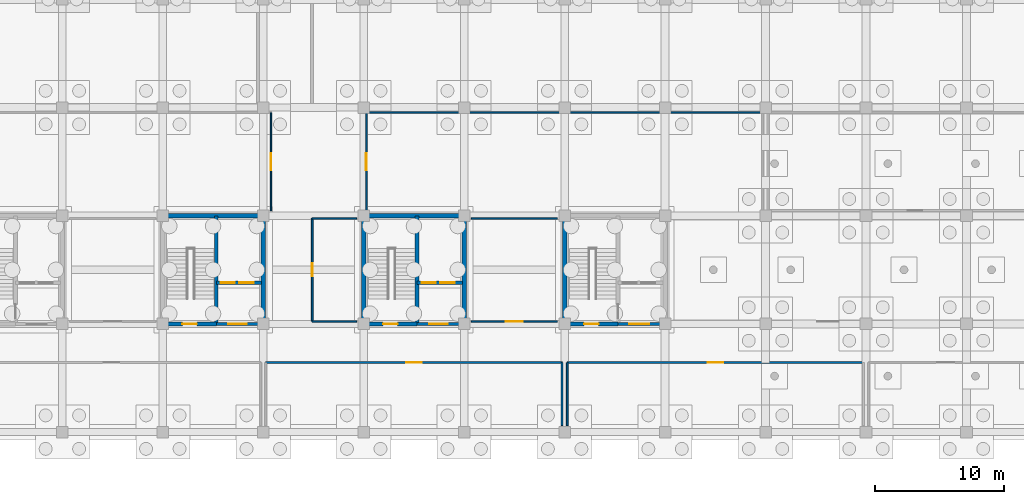
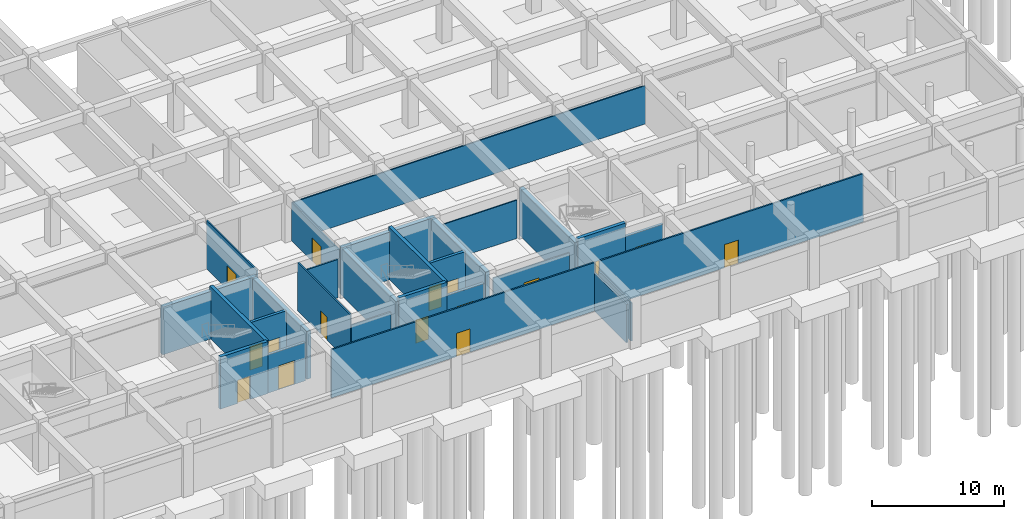
# One storey, part 19 of 31: 28 walls, 16 doors, 16 openings.
"""IFC4 building model written with IfcOpenShell, lengths in metres."""

from ifc_helpers import new_model, si_unit, direction, frame, frame_2d, origin, place, context, subcontext, project, spatial, rectangle, extrude, material, layer, layer_set, type_object, element, fill, save


model = new_model("IFC4")

# Units and contexts
model_context = context("Model", 3, precision=1e-05, world=origin(), true_north=direction((0.0, 1.0)))
body_context = subcontext(model_context, "Body", "Model", "MODEL_VIEW")
ifc_project = project(units=[si_unit("LENGTHUNIT", "METRE"), si_unit("AREAUNIT", "SQUARE_METRE"), si_unit("VOLUMEUNIT", "CUBIC_METRE"), si_unit("PLANEANGLEUNIT", "RADIAN"), si_unit("MASSUNIT", "GRAM", prefix="KILO")], contexts=[model_context])

# Site, building, storey
site_placement = place(None, origin())
site = spatial("IfcSite", under=ifc_project, at=site_placement, CompositionType="ELEMENT")
building_placement = place(site_placement, origin())
building = spatial("IfcBuilding", under=site, at=building_placement, Name="Zizhar Promenade General Hospital", CompositionType="ELEMENT")
storey_placement = place(building_placement, frame((0.0, 0.0, -4.800048828125)))
storey = spatial("IfcBuildingStorey", under=building, at=storey_placement, Name="B1", CompositionType="ELEMENT", Elevation=-4.800048828125)

# Wall, opening, door
ifc_material_1 = material(Name="Chemical-resistant laboratory partition")
ifc_layer_1 = layer(ifc_material_1, 0.135009765625)
ifc_layer_set_1 = layer_set([ifc_layer_1], Name="Chemical-resistant laboratory partition")
wall_type_1 = type_object("IfcWallType", Name="IW-LAB-135", PredefinedType="PARTITIONING", material=ifc_layer_set_1)
wall_1_placement = place(storey_placement, frame((70.39990234375, 5.39990234375, 0.0), z_axis=(0.0, 0.0, 1.0), x_axis=(1.0, 0.0, 0.0)))
wall_1 = element("IfcWall", 1, at=wall_1_placement, inside=storey, type_object=wall_type_1, Name="Central Sterile Supply Autoclave Hall N Partition", PredefinedType="PARTITIONING", context=body_context, shape_type="SweptSolid", body=[
    extrude(rectangle(XDim=23.0, YDim=0.135009765625, at=frame_2d((11.5, 0.0))), origin(), (0.0, 0.0, 1.0), 4.4599609375),
])
opening_1_placement = place(wall_1_placement, frame((10.89990234375, 0.0, 0.0)))
opening_1 = element("IfcOpeningElement", 2, at=opening_1_placement, cuts=wall_1, Name="Opening D-16", PredefinedType="OPENING", context=body_context, shape_type="SweptSolid", body=[
    extrude(rectangle(XDim=1.199951171875, YDim=2.14990234375, at=frame_2d((0.60009765625, 1.074951171875))), frame((0.0, 0.07763671875, 0.0), z_axis=(0.0, -1.0, 0.0), x_axis=(1.0, 0.0, 0.0)), (0.0, 0.0, 1.0), 0.155029296875),
])
ifc_material_2 = material(Name="Fire-rated timber laboratory leaf", Category="wood")
door_type_1 = type_object("IfcDoorType", Name="DR-LAB-120x215", OperationType="NOTDEFINED", PredefinedType="DOOR", material=ifc_material_2)
door_1_placement = place(opening_1_placement, origin())
door_1 = element("IfcDoor", 3, at=door_1_placement, inside=storey, type_object=door_type_1, Name="Central Sterile Supply Autoclave Hall Door", OperationType="SINGLE_SWING_RIGHT", OverallHeight=2.14990234375, OverallWidth=1.199951171875, PredefinedType="DOOR", context=body_context, shape_type="SweptSolid", body=[
    extrude(rectangle(XDim=1.199951171875, YDim=2.14990234375, at=frame_2d((0.60009765625, 1.074951171875))), frame((0.0, 0.02490234375, 0.0), z_axis=(0.0, -1.0, 0.0), x_axis=(1.0, 0.0, 0.0)), (0.0, 0.0, 1.0), 0.050048828125),
])
fill(opening_1, door_1)

# Wall
wall_2_placement = place(storey_placement, frame((93.39990234375, 0.5, 0.0), z_axis=(0.0, 0.0, 1.0), x_axis=(0.0, 1.0, 0.0)))
element("IfcWall", 4, at=wall_2_placement, inside=storey, type_object=wall_type_1, Name="Central Sterile Supply Autoclave Hall E Partition", PredefinedType="PARTITIONING", context=body_context, shape_type="SweptSolid", body=[
    extrude(rectangle(XDim=4.89990234375, YDim=0.135009765625, at=frame_2d((2.449951171875, 0.0))), origin(), (0.0, 0.0, 1.0), 3.51513671875),
])

# Wall, opening, door
wall_3_placement = place(storey_placement, frame((93.800048828125, 5.39990234375, 0.0), z_axis=(0.0, 0.0, 1.0), x_axis=(1.0, 0.0, 0.0)))
wall_3 = element("IfcWall", 5, at=wall_3_placement, inside=storey, type_object=wall_type_1, Name="Sterile Surgical Pack Store N Partition", PredefinedType="PARTITIONING", context=body_context, shape_type="SweptSolid", body=[
    extrude(rectangle(XDim=23.0, YDim=0.135009765625, at=frame_2d((11.5, 0.0))), origin(), (0.0, 0.0, 1.0), 4.4599609375),
])
opening_2_placement = place(wall_3_placement, frame((10.89990234375, 0.0, 0.0)))
opening_2 = element("IfcOpeningElement", 6, at=opening_2_placement, cuts=wall_3, Name="Opening D-16", PredefinedType="OPENING", context=body_context, shape_type="SweptSolid", body=[
    extrude(rectangle(XDim=1.199951171875, YDim=2.14990234375, at=frame_2d((0.60009765625, 1.074951171875))), frame((0.0, 0.07763671875, 0.0), z_axis=(0.0, -1.0, 0.0), x_axis=(1.0, 0.0, 0.0)), (0.0, 0.0, 1.0), 0.155029296875),
])
door_2_placement = place(opening_2_placement, origin())
door_2 = element("IfcDoor", 7, at=door_2_placement, inside=storey, type_object=door_type_1, Name="Sterile Surgical Pack Store Door", OperationType="SINGLE_SWING_LEFT", OverallHeight=2.14990234375, OverallWidth=1.199951171875, PredefinedType="DOOR", context=body_context, shape_type="SweptSolid", body=[
    extrude(rectangle(XDim=1.199951171875, YDim=2.14990234375, at=frame_2d((0.60009765625, 1.074951171875))), frame((0.0, 0.02490234375, 0.0), z_axis=(0.0, -1.0, 0.0), x_axis=(1.0, 0.0, 0.0)), (0.0, 0.0, 1.0), 0.050048828125),
])
fill(opening_2, door_2)

# Wall
wall_4_placement = place(storey_placement, frame((93.800048828125, 0.5, 0.0), z_axis=(0.0, 0.0, 1.0), x_axis=(0.0, 1.0, 0.0)))
element("IfcWall", 8, at=wall_4_placement, inside=storey, type_object=wall_type_1, Name="Sterile Surgical Pack Store W Partition", PredefinedType="PARTITIONING", context=body_context, shape_type="SweptSolid", body=[
    extrude(rectangle(XDim=4.89990234375, YDim=0.135009765625, at=frame_2d((2.449951171875, 0.0))), origin(), (0.0, 0.0, 1.0), 3.51513671875),
])

# Wall, opening, door
ifc_material_3 = material(Name="Concrete C35/45", Category="concrete")
ifc_layer_2 = layer(ifc_material_3, 0.215087890625)
ifc_layer_set_2 = layer_set([ifc_layer_2], Name="Concrete C35/45")
wall_type_2 = type_object("IfcWallType", Name="IW-LOBBY-215", PredefinedType="STANDARD", material=ifc_layer_set_2)
wall_5_placement = place(storey_placement, frame((66.550048828125, 8.39990234375, 0.0), z_axis=(0.0, 0.0, 1.0), x_axis=(1.0, 0.0, 0.0)))
wall_5 = element("IfcWall", 9, at=wall_5_placement, inside=storey, type_object=wall_type_2, Name="Core C3 Lift Lobby South Fire Wall (B1)", PredefinedType="STANDARD", context=body_context, shape_type="SweptSolid", body=[
    extrude(rectangle(XDim=3.2900390625, YDim=0.215087890625, at=frame_2d((1.64501953125, 0.0))), origin(), (0.0, 0.0, 1.0), 3.530029296875),
])
opening_3_placement = place(wall_5_placement, frame((0.925048828125, 0.0, 0.0)))
opening_3 = element("IfcOpeningElement", 10, at=opening_3_placement, cuts=wall_5, Name="Opening D-23", PredefinedType="OPENING", context=body_context, shape_type="SweptSolid", body=[
    extrude(rectangle(XDim=1.43994140625, YDim=2.199951171875, at=frame_2d((0.719970703125, 1.10009765625))), frame((0.0, 0.11767578125, 0.0), z_axis=(0.0, -1.0, 0.0), x_axis=(1.0, 0.0, 0.0)), (0.0, 0.0, 1.0), 0.235107421875),
])
ifc_material_4 = material(Name="Fire-rated timber lift lobby pair", Category="wood")
door_type_2 = type_object("IfcDoorType", Name="DR-LOBBY-PR-144x220", OperationType="DOUBLE_DOOR_SINGLE_SWING", PredefinedType="DOOR", material=ifc_material_4)
door_3_placement = place(opening_3_placement, origin())
door_3 = element("IfcDoor", 11, at=door_3_placement, inside=storey, type_object=door_type_2, Name="Core C3 Protected Lift Lobby Door (B1)", OperationType="DOUBLE_DOOR_SINGLE_SWING", OverallHeight=2.199951171875, OverallWidth=1.43994140625, PredefinedType="DOOR", context=body_context, shape_type="SweptSolid", body=[
    extrude(rectangle(XDim=1.43994140625, YDim=2.199951171875, at=frame_2d((0.719970703125, 1.10009765625))), frame((0.0, 0.02490234375, 0.0), z_axis=(0.0, -1.0, 0.0), x_axis=(1.0, 0.0, 0.0)), (0.0, 0.0, 1.0), 0.050048828125),
])
fill(opening_3, door_3)

wall_6_placement = place(storey_placement, frame((82.14990234375, 8.39990234375, 0.0), z_axis=(0.0, 0.0, 1.0), x_axis=(1.0, 0.0, 0.0)))
wall_6 = element("IfcWall", 12, at=wall_6_placement, inside=storey, type_object=wall_type_2, Name="Core C4 Lift Lobby South Fire Wall (B1)", PredefinedType="STANDARD", context=body_context, shape_type="SweptSolid", body=[
    extrude(rectangle(XDim=3.2900390625, YDim=0.215087890625, at=frame_2d((1.64501953125, 0.0))), origin(), (0.0, 0.0, 1.0), 3.530029296875),
])
opening_4_placement = place(wall_6_placement, frame((0.925048828125, 0.0, 0.0)))
opening_4 = element("IfcOpeningElement", 13, at=opening_4_placement, cuts=wall_6, Name="Opening D-23", PredefinedType="OPENING", context=body_context, shape_type="SweptSolid", body=[
    extrude(rectangle(XDim=1.43994140625, YDim=2.199951171875, at=frame_2d((0.719970703125, 1.10009765625))), frame((0.0, 0.11767578125, 0.0), z_axis=(0.0, -1.0, 0.0), x_axis=(1.0, 0.0, 0.0)), (0.0, 0.0, 1.0), 0.235107421875),
])
door_4_placement = place(opening_4_placement, origin())
door_4 = element("IfcDoor", 14, at=door_4_placement, inside=storey, type_object=door_type_2, Name="Core C4 Protected Lift Lobby Door (B1)", OperationType="DOUBLE_DOOR_SINGLE_SWING", OverallHeight=2.199951171875, OverallWidth=1.43994140625, PredefinedType="DOOR", context=body_context, shape_type="SweptSolid", body=[
    extrude(rectangle(XDim=1.43994140625, YDim=2.199951171875, at=frame_2d((0.719970703125, 1.10009765625))), frame((0.0, 0.02490234375, 0.0), z_axis=(0.0, -1.0, 0.0), x_axis=(1.0, 0.0, 0.0)), (0.0, 0.0, 1.0), 0.050048828125),
])
fill(opening_4, door_4)

wall_7_placement = place(storey_placement, frame((97.75, 8.39990234375, 0.0), z_axis=(0.0, 0.0, 1.0), x_axis=(1.0, 0.0, 0.0)))
wall_7 = element("IfcWall", 15, at=wall_7_placement, inside=storey, type_object=wall_type_2, Name="Core C5 Lift Lobby South Fire Wall (B1)", PredefinedType="STANDARD", context=body_context, shape_type="SweptSolid", body=[
    extrude(rectangle(XDim=3.2900390625, YDim=0.215087890625, at=frame_2d((1.64501953125, 0.0))), origin(), (0.0, 0.0, 1.0), 3.530029296875),
])
opening_5_placement = place(wall_7_placement, frame((0.864990234375, 0.0, 0.0)))
opening_5 = element("IfcOpeningElement", 16, at=opening_5_placement, cuts=wall_7, Name="Opening D-22", PredefinedType="OPENING", context=body_context, shape_type="SweptSolid", body=[
    extrude(rectangle(XDim=1.56005859375, YDim=2.199951171875, at=frame_2d((0.780029296875, 1.10009765625))), frame((0.0, 0.11767578125, 0.0), z_axis=(0.0, -1.0, 0.0), x_axis=(1.0, 0.0, 0.0)), (0.0, 0.0, 1.0), 0.235107421875),
])
ifc_material_5 = material(Name="Steel S355 firefighting lobby pair", Category="steel")
door_type_3 = type_object("IfcDoorType", Name="DR-LOBBY-FF-156x220", OperationType="DOUBLE_DOOR_SINGLE_SWING", PredefinedType="DOOR", material=ifc_material_5)
door_5_placement = place(opening_5_placement, origin())
door_5 = element("IfcDoor", 17, at=door_5_placement, inside=storey, type_object=door_type_3, Name="Core C5 Firefighting Lift Lobby Door (B1)", OperationType="DOUBLE_DOOR_SINGLE_SWING", OverallHeight=2.199951171875, OverallWidth=1.56005859375, PredefinedType="DOOR", context=body_context, shape_type="SweptSolid", body=[
    extrude(rectangle(XDim=1.56005859375, YDim=2.199951171875, at=frame_2d((0.780029296875, 1.10009765625))), frame((0.0, 0.02490234375, 0.0), z_axis=(0.0, -1.0, 0.0), x_axis=(1.0, 0.0, 0.0)), (0.0, 0.0, 1.0), 0.050048828125),
])
fill(opening_5, door_5)

# Wall, openings, doors
ifc_material_6 = material(Name="Concrete C35/45", Category="concrete")
ifc_layer_3 = layer(ifc_material_6, 0.25)
ifc_layer_set_3 = layer_set([ifc_layer_3], Name="Concrete C35/45")
wall_type_3 = type_object("IfcWallType", Name="IW-SHAFT-250", PredefinedType="STANDARD", material=ifc_layer_set_3)
wall_8_placement = place(storey_placement, frame((66.550048828125, 11.60009765625, 0.0), z_axis=(0.0, 0.0, 1.0), x_axis=(1.0, 0.0, 0.0)))
wall_8 = element("IfcWall", 18, at=wall_8_placement, inside=storey, type_object=wall_type_3, Name="Core C3 Lift Shaft Landing Wall (B1)", PredefinedType="STANDARD", context=body_context, shape_type="SweptSolid", body=[
    extrude(rectangle(XDim=3.5, YDim=0.25, at=frame_2d((1.75, 0.0))), origin(), (0.0, 0.0, 1.0), 4.4599609375),
])
opening_6_placement = place(wall_8_placement, frame((0.35009765625, 0.0, 0.0)))
opening_6 = element("IfcOpeningElement", 19, at=opening_6_placement, cuts=wall_8, Name="Opening LD-11", PredefinedType="OPENING", context=body_context, shape_type="SweptSolid", body=[
    extrude(rectangle(XDim=1.10009765625, YDim=2.199951171875, at=frame_2d((0.550048828125, 1.10009765625))), frame((0.0, 0.135009765625, 0.0), z_axis=(0.0, -1.0, 0.0), x_axis=(1.0, 0.0, 0.0)), (0.0, 0.0, 1.0), 0.27001953125),
])
opening_7_placement = place(wall_8_placement, frame((1.800048828125, 0.0, 0.0)))
opening_7 = element("IfcOpeningElement", 20, at=opening_7_placement, cuts=wall_8, Name="Opening LD-11", PredefinedType="OPENING", context=body_context, shape_type="SweptSolid", body=[
    extrude(rectangle(XDim=1.10009765625, YDim=2.199951171875, at=frame_2d((0.550048828125, 1.10009765625))), frame((0.0, 0.135009765625, 0.0), z_axis=(0.0, -1.0, 0.0), x_axis=(1.0, 0.0, 0.0)), (0.0, 0.0, 1.0), 0.27001953125),
])
ifc_material_7 = material(Name="Stainless Steel S355 passenger lift landing door", Category="steel")
door_type_4 = type_object("IfcDoorType", Name="DR-LIFT-LD11", OperationType="SLIDING_TO_LEFT", PredefinedType="DOOR", material=ifc_material_7)
door_6_placement = place(opening_6_placement, origin())
door_6 = element("IfcDoor", 21, at=door_6_placement, inside=storey, type_object=door_type_4, Name="Lift LB-02 Sliding Landing Door (B1)", OperationType="SLIDING_TO_LEFT", OverallHeight=2.199951171875, OverallWidth=1.10009765625, PredefinedType="DOOR", context=body_context, shape_type="SweptSolid", body=[
    extrude(rectangle(XDim=1.10009765625, YDim=2.199951171875, at=frame_2d((0.550048828125, 1.10009765625))), frame((0.0, 0.02490234375, 0.0), z_axis=(0.0, -1.0, 0.0), x_axis=(1.0, 0.0, 0.0)), (0.0, 0.0, 1.0), 0.050048828125),
])
fill(opening_6, door_6)
door_7_placement = place(opening_7_placement, origin())
door_7 = element("IfcDoor", 22, at=door_7_placement, inside=storey, type_object=door_type_4, Name="Lift LP-02 Sliding Landing Door (B1)", OperationType="SLIDING_TO_LEFT", OverallHeight=2.199951171875, OverallWidth=1.10009765625, PredefinedType="DOOR", context=body_context, shape_type="SweptSolid", body=[
    extrude(rectangle(XDim=1.10009765625, YDim=2.199951171875, at=frame_2d((0.550048828125, 1.10009765625))), frame((0.0, 0.02490234375, 0.0), z_axis=(0.0, -1.0, 0.0), x_axis=(1.0, 0.0, 0.0)), (0.0, 0.0, 1.0), 0.050048828125),
])
fill(opening_7, door_7)

wall_9_placement = place(storey_placement, frame((82.14990234375, 11.60009765625, 0.0), z_axis=(0.0, 0.0, 1.0), x_axis=(1.0, 0.0, 0.0)))
wall_9 = element("IfcWall", 23, at=wall_9_placement, inside=storey, type_object=wall_type_3, Name="Core C4 Lift Shaft Landing Wall (B1)", PredefinedType="STANDARD", context=body_context, shape_type="SweptSolid", body=[
    extrude(rectangle(XDim=3.5, YDim=0.25, at=frame_2d((1.75, 0.0))), origin(), (0.0, 0.0, 1.0), 4.4599609375),
])
opening_8_placement = place(wall_9_placement, frame((0.35009765625, 0.0, 0.0)))
opening_8 = element("IfcOpeningElement", 24, at=opening_8_placement, cuts=wall_9, Name="Opening LD-11", PredefinedType="OPENING", context=body_context, shape_type="SweptSolid", body=[
    extrude(rectangle(XDim=1.10009765625, YDim=2.199951171875, at=frame_2d((0.550048828125, 1.10009765625))), frame((0.0, 0.135009765625, 0.0), z_axis=(0.0, -1.0, 0.0), x_axis=(1.0, 0.0, 0.0)), (0.0, 0.0, 1.0), 0.27001953125),
])
opening_9_placement = place(wall_9_placement, frame((1.800048828125, 0.0, 0.0)))
opening_9 = element("IfcOpeningElement", 25, at=opening_9_placement, cuts=wall_9, Name="Opening LD-11", PredefinedType="OPENING", context=body_context, shape_type="SweptSolid", body=[
    extrude(rectangle(XDim=1.10009765625, YDim=2.199951171875, at=frame_2d((0.550048828125, 1.10009765625))), frame((0.0, 0.135009765625, 0.0), z_axis=(0.0, -1.0, 0.0), x_axis=(1.0, 0.0, 0.0)), (0.0, 0.0, 1.0), 0.27001953125),
])
door_8_placement = place(opening_8_placement, origin())
door_8 = element("IfcDoor", 26, at=door_8_placement, inside=storey, type_object=door_type_4, Name="Lift LB-03 Sliding Landing Door (B1)", OperationType="SLIDING_TO_LEFT", OverallHeight=2.199951171875, OverallWidth=1.10009765625, PredefinedType="DOOR", context=body_context, shape_type="SweptSolid", body=[
    extrude(rectangle(XDim=1.10009765625, YDim=2.199951171875, at=frame_2d((0.550048828125, 1.10009765625))), frame((0.0, 0.02490234375, 0.0), z_axis=(0.0, -1.0, 0.0), x_axis=(1.0, 0.0, 0.0)), (0.0, 0.0, 1.0), 0.050048828125),
])
fill(opening_8, door_8)
door_9_placement = place(opening_9_placement, origin())
door_9 = element("IfcDoor", 27, at=door_9_placement, inside=storey, type_object=door_type_4, Name="Lift LP-03 Sliding Landing Door (B1)", OperationType="SLIDING_TO_LEFT", OverallHeight=2.199951171875, OverallWidth=1.10009765625, PredefinedType="DOOR", context=body_context, shape_type="SweptSolid", body=[
    extrude(rectangle(XDim=1.10009765625, YDim=2.199951171875, at=frame_2d((0.550048828125, 1.10009765625))), frame((0.0, 0.02490234375, 0.0), z_axis=(0.0, -1.0, 0.0), x_axis=(1.0, 0.0, 0.0)), (0.0, 0.0, 1.0), 0.050048828125),
])
fill(opening_9, door_9)

# Wall, opening, door
ifc_material_8 = material(Name="Clean utility gypsum partition")
ifc_layer_4 = layer(ifc_material_8, 0.114990234375)
ifc_layer_set_4 = layer_set([ifc_layer_4], Name="Clean utility gypsum partition")
wall_type_4 = type_object("IfcWallType", Name="IW-STR-115", PredefinedType="PARTITIONING", material=ifc_layer_set_4)
wall_10_placement = place(storey_placement, frame((70.800048828125, 17.199951171875, 0.0), z_axis=(0.0, 0.0, 1.0), x_axis=(0.0, 1.0, 0.0)))
wall_10 = element("IfcWall", 28, at=wall_10_placement, inside=storey, type_object=wall_type_4, Name="Clean Medical Linen Store E Partition", PredefinedType="PARTITIONING", context=body_context, shape_type="SweptSolid", body=[
    extrude(rectangle(XDim=7.60009765625, YDim=0.114990234375, at=frame_2d((3.800048828125, 0.0))), origin(), (0.0, 0.0, 1.0), 4.4599609375),
])
opening_10_placement = place(wall_10_placement, frame((3.139892578125, 0.0, 0.0)))
opening_10 = element("IfcOpeningElement", 29, at=opening_10_placement, cuts=wall_10, Name="Opening D-26", PredefinedType="OPENING", context=body_context, shape_type="SweptSolid", body=[
    extrude(rectangle(XDim=1.320068359375, YDim=2.14990234375, at=frame_2d((0.66015625, 1.074951171875))), frame((0.0, 0.0673828125, 0.0), z_axis=(0.0, -1.0, 0.0), x_axis=(1.0, 0.0, 0.0)), (0.0, 0.0, 1.0), 0.135009765625),
])
ifc_material_9 = material(Name="Fire-rated timber store leaf", Category="wood")
door_type_5 = type_object("IfcDoorType", Name="DR-STORE-132x215", OperationType="NOTDEFINED", PredefinedType="DOOR", material=ifc_material_9)
door_10_placement = place(opening_10_placement, origin())
door_10 = element("IfcDoor", 30, at=door_10_placement, inside=storey, type_object=door_type_5, Name="Clean Medical Linen Store Door", OperationType="SINGLE_SWING_LEFT", OverallHeight=2.14990234375, OverallWidth=1.320068359375, PredefinedType="DOOR", context=body_context, shape_type="SweptSolid", body=[
    extrude(rectangle(XDim=1.320068359375, YDim=2.14990234375, at=frame_2d((0.66015625, 1.074951171875))), frame((0.0, 0.02490234375, 0.0), z_axis=(0.0, -1.0, 0.0), x_axis=(1.0, 0.0, 0.0)), (0.0, 0.0, 1.0), 0.050048828125),
])
fill(opening_10, door_10)

# Wall
wall_11_placement = place(storey_placement, frame((78.199951171875, 24.800048828125, 0.0), z_axis=(0.0, 0.0, 1.0), x_axis=(1.0, 0.0, 0.0)))
element("IfcWall", 31, at=wall_11_placement, inside=storey, type_object=wall_type_4, Name="Biomedical Equipment Workshop N Partition", PredefinedType="PARTITIONING", context=body_context, shape_type="SweptSolid", body=[
    extrude(rectangle(XDim=30.800048828125, YDim=0.114990234375, at=frame_2d((15.39990234375, 0.0))), origin(), (0.0, 0.0, 1.0), 3.530029296875),
])

# Wall, opening, door
wall_12_placement = place(storey_placement, frame((78.199951171875, 17.199951171875, 0.0), z_axis=(0.0, 0.0, 1.0), x_axis=(0.0, 1.0, 0.0)))
wall_12 = element("IfcWall", 32, at=wall_12_placement, inside=storey, type_object=wall_type_4, Name="Biomedical Equipment Workshop W Partition", PredefinedType="PARTITIONING", context=body_context, shape_type="SweptSolid", body=[
    extrude(rectangle(XDim=7.60009765625, YDim=0.114990234375, at=frame_2d((3.800048828125, 0.0))), origin(), (0.0, 0.0, 1.0), 3.51513671875),
])
opening_11_placement = place(wall_12_placement, frame((3.139892578125, 0.0, 0.0)))
opening_11 = element("IfcOpeningElement", 33, at=opening_11_placement, cuts=wall_12, Name="Opening D-26", PredefinedType="OPENING", context=body_context, shape_type="SweptSolid", body=[
    extrude(rectangle(XDim=1.320068359375, YDim=2.14990234375, at=frame_2d((0.66015625, 1.074951171875))), frame((0.0, 0.0673828125, 0.0), z_axis=(0.0, -1.0, 0.0), x_axis=(1.0, 0.0, 0.0)), (0.0, 0.0, 1.0), 0.135009765625),
])
door_11_placement = place(opening_11_placement, origin())
door_11 = element("IfcDoor", 34, at=door_11_placement, inside=storey, type_object=door_type_5, Name="Biomedical Equipment Workshop Door", OperationType="SINGLE_SWING_RIGHT", OverallHeight=2.14990234375, OverallWidth=1.320068359375, PredefinedType="DOOR", context=body_context, shape_type="SweptSolid", body=[
    extrude(rectangle(XDim=1.320068359375, YDim=2.14990234375, at=frame_2d((0.66015625, 1.074951171875))), frame((0.0, 0.02490234375, 0.0), z_axis=(0.0, -1.0, 0.0), x_axis=(1.0, 0.0, 0.0)), (0.0, 0.0, 1.0), 0.050048828125),
])
fill(opening_11, door_11)

wall_13_placement = place(storey_placement, frame((86.360107421875, 8.60009765625, 0.0), z_axis=(0.0, 0.0, 1.0), x_axis=(1.0, 0.0, 0.0)))
wall_13 = element("IfcWall", 35, at=wall_13_placement, inside=storey, type_object=wall_type_4, Name="Staff Changing Room East S Partition", PredefinedType="PARTITIONING", context=body_context, shape_type="SweptSolid", body=[
    extrude(rectangle(XDim=6.679931640625, YDim=0.114990234375, at=frame_2d((3.33984375, 0.0))), origin(), (0.0, 0.0, 1.0), 3.530029296875),
])
opening_12_placement = place(wall_13_placement, frame((2.679931640625, 0.0, 0.0)))
opening_12 = element("IfcOpeningElement", 36, at=opening_12_placement, cuts=wall_13, Name="Opening D-26", PredefinedType="OPENING", context=body_context, shape_type="SweptSolid", body=[
    extrude(rectangle(XDim=1.320068359375, YDim=2.14990234375, at=frame_2d((0.66015625, 1.074951171875))), frame((0.0, 0.0673828125, 0.0), z_axis=(0.0, -1.0, 0.0), x_axis=(1.0, 0.0, 0.0)), (0.0, 0.0, 1.0), 0.135009765625),
])
door_12_placement = place(opening_12_placement, origin())
door_12 = element("IfcDoor", 37, at=door_12_placement, inside=storey, type_object=door_type_5, Name="Staff Changing Room East Door", OperationType="SINGLE_SWING_LEFT", OverallHeight=2.14990234375, OverallWidth=1.320068359375, PredefinedType="DOOR", context=body_context, shape_type="SweptSolid", body=[
    extrude(rectangle(XDim=1.320068359375, YDim=2.14990234375, at=frame_2d((0.66015625, 1.074951171875))), frame((0.0, 0.02490234375, 0.0), z_axis=(0.0, -1.0, 0.0), x_axis=(1.0, 0.0, 0.0)), (0.0, 0.0, 1.0), 0.050048828125),
])
fill(opening_12, door_12)

# Walls
wall_14_placement = place(storey_placement, frame((86.360107421875, 16.60009765625, 0.0), z_axis=(0.0, 0.0, 1.0), x_axis=(1.0, 0.0, 0.0)))
element("IfcWall", 38, at=wall_14_placement, inside=storey, type_object=wall_type_4, Name="Staff Changing Room East N Partition", PredefinedType="PARTITIONING", context=body_context, shape_type="SweptSolid", body=[
    extrude(rectangle(XDim=6.679931640625, YDim=0.114990234375, at=frame_2d((3.33984375, 0.0))), origin(), (0.0, 0.0, 1.0), 3.530029296875),
])
ifc_material_10 = material(Name="Moisture-resistant en-suite wet partition")
ifc_layer_5 = layer(ifc_material_10, 0.125)
ifc_layer_set_5 = layer_set([ifc_layer_5], Name="Moisture-resistant en-suite wet partition")
wall_type_5 = type_object("IfcWallType", Name="IW-WET-125", PredefinedType="PARTITIONING", material=ifc_layer_set_5)
for number, where, z_axis, x_axis, name in (
    (39, (74.0, 8.60009765625, 0.0), (0.0, 0.0, 1.0), (1.0, 0.0, 0.0), "Accessible Staff Toilet B1 S Partition"),
    (40, (74.0, 16.60009765625, 0.0), (0.0, 0.0, 1.0), (1.0, 0.0, 0.0), "Accessible Staff Toilet B1 N Partition"),
):
    element("IfcWall", number, at=place(storey_placement, frame(where, z_axis=z_axis, x_axis=x_axis)), inside=storey, type_object=wall_type_5, Name=name, PredefinedType="PARTITIONING", context=body_context, shape_type="SweptSolid", body=[
        extrude(rectangle(XDim=3.43994140625, YDim=0.125, at=frame_2d((1.719970703125, 0.0))), origin(), (0.0, 0.0, 1.0), 3.530029296875),
    ])

# Wall, opening, door
wall_15_placement = place(storey_placement, frame((74.0, 8.60009765625, 0.0), z_axis=(0.0, 0.0, 1.0), x_axis=(0.0, 1.0, 0.0)))
wall_15 = element("IfcWall", 41, at=wall_15_placement, inside=storey, type_object=wall_type_5, Name="Accessible Staff Toilet B1 W Partition", PredefinedType="PARTITIONING", context=body_context, shape_type="SweptSolid", body=[
    extrude(rectangle(XDim=8.0, YDim=0.125, at=frame_2d((4.0, 0.0))), origin(), (0.0, 0.0, 1.0), 4.4599609375),
])
opening_13_placement = place(wall_15_placement, frame((3.5, 0.0, 0.0)))
opening_13 = element("IfcOpeningElement", 42, at=opening_13_placement, cuts=wall_15, Name="Opening D-19", PredefinedType="OPENING", context=body_context, shape_type="SweptSolid", body=[
    extrude(rectangle(XDim=1.0, YDim=2.10009765625, at=frame_2d((0.5, 1.050048828125))), frame((0.0, 0.072509765625, 0.0), z_axis=(0.0, -1.0, 0.0), x_axis=(1.0, 0.0, 0.0)), (0.0, 0.0, 1.0), 0.14501953125),
])
ifc_material_11 = material(Name="Moisture-resistant timber accessible WC", Category="wood")
door_type_6 = type_object("IfcDoorType", Name="DR-WC-PMR-100x210", OperationType="NOTDEFINED", PredefinedType="DOOR", material=ifc_material_11)
door_13_placement = place(opening_13_placement, origin())
door_13 = element("IfcDoor", 43, at=door_13_placement, inside=storey, type_object=door_type_6, Name="Accessible Staff Toilet B1 Door", OperationType="SINGLE_SWING_RIGHT", OverallHeight=2.10009765625, OverallWidth=1.0, PredefinedType="DOOR", context=body_context, shape_type="SweptSolid", body=[
    extrude(rectangle(XDim=1.0, YDim=2.10009765625, at=frame_2d((0.5, 1.050048828125))), frame((0.0, 0.02490234375, 0.0), z_axis=(0.0, -1.0, 0.0), x_axis=(1.0, 0.0, 0.0)), (0.0, 0.0, 1.0), 0.050048828125),
])
fill(opening_13, door_13)

ifc_material_12 = material(Name="Concrete C40/50", Category="concrete")
ifc_layer_6 = layer(ifc_material_12, 0.300048828125)
ifc_layer_set_6 = layer_set([ifc_layer_6], Name="Concrete C40/50")
wall_type_6 = type_object("IfcWallType", Name="WL-CORE-300", PredefinedType="SHEAR", material=ifc_layer_set_6)
wall_16_placement = place(storey_placement, frame((62.39990234375, 8.39990234375, 0.0), z_axis=(0.0, 0.0, 1.0), x_axis=(1.0, 0.0, 0.0)))
wall_16 = element("IfcWall", 44, at=wall_16_placement, inside=storey, type_object=wall_type_6, Name="Core C3 Stair South Fire Wall (B1)", PredefinedType="SHEAR", context=body_context, shape_type="SweptSolid", body=[
    extrude(rectangle(XDim=4.150146484375, YDim=0.300048828125, at=frame_2d((2.0751953125, 0.0))), origin(), (0.0, 0.0, 1.0), 4.800048828125),
])
opening_14_placement = place(wall_16_placement, frame((1.514892578125, 0.0, 0.0)))
opening_14 = element("IfcOpeningElement", 45, at=opening_14_placement, cuts=wall_16, Name="Opening D-21", PredefinedType="OPENING", context=body_context, shape_type="SweptSolid", body=[
    extrude(rectangle(XDim=1.1201171875, YDim=2.14990234375, at=frame_2d((0.56005859375, 1.074951171875))), frame((0.0, 0.16015625, 0.0), z_axis=(0.0, -1.0, 0.0), x_axis=(1.0, 0.0, 0.0)), (0.0, 0.0, 1.0), 0.320068359375),
])
ifc_material_13 = material(Name="Steel S355 protected stair door", Category="steel")
door_type_7 = type_object("IfcDoorType", Name="DR-STAIR-112x215", OperationType="NOTDEFINED", PredefinedType="DOOR", material=ifc_material_13)
door_14_placement = place(opening_14_placement, origin())
door_14 = element("IfcDoor", 46, at=door_14_placement, inside=storey, type_object=door_type_7, Name="Exit Stair ST-03 Door (B1)", OperationType="SINGLE_SWING_LEFT", OverallHeight=2.14990234375, OverallWidth=1.1201171875, PredefinedType="DOOR", context=body_context, shape_type="SweptSolid", body=[
    extrude(rectangle(XDim=1.1201171875, YDim=2.14990234375, at=frame_2d((0.56005859375, 1.074951171875))), frame((0.0, 0.02490234375, 0.0), z_axis=(0.0, -1.0, 0.0), x_axis=(1.0, 0.0, 0.0)), (0.0, 0.0, 1.0), 0.050048828125),
])
fill(opening_14, door_14)

# Wall
wall_17_placement = place(storey_placement, frame((66.550048828125, 8.39990234375, 0.0), z_axis=(0.0, 0.0, 1.0), x_axis=(0.0, 1.0, 0.0)))
element("IfcWall", 47, at=wall_17_placement, inside=storey, type_object=wall_type_6, Name="Core C3 Stair-Shaft Separation Wall (B1)", PredefinedType="SHEAR", context=body_context, shape_type="SweptSolid", body=[
    extrude(rectangle(XDim=8.400146484375, YDim=0.300048828125, at=frame_2d((4.2001953125, 0.0))), origin(), (0.0, 0.0, 1.0), 4.800048828125),
])

# Wall, opening, door
wall_18_placement = place(storey_placement, frame((78.0, 8.39990234375, 0.0), z_axis=(0.0, 0.0, 1.0), x_axis=(1.0, 0.0, 0.0)))
wall_18 = element("IfcWall", 48, at=wall_18_placement, inside=storey, type_object=wall_type_6, Name="Core C4 Stair South Fire Wall (B1)", PredefinedType="SHEAR", context=body_context, shape_type="SweptSolid", body=[
    extrude(rectangle(XDim=4.14990234375, YDim=0.300048828125, at=frame_2d((2.074951171875, 0.0))), origin(), (0.0, 0.0, 1.0), 4.800048828125),
])
opening_15_placement = place(wall_18_placement, frame((1.514892578125, 0.0, 0.0)))
opening_15 = element("IfcOpeningElement", 49, at=opening_15_placement, cuts=wall_18, Name="Opening D-21", PredefinedType="OPENING", context=body_context, shape_type="SweptSolid", body=[
    extrude(rectangle(XDim=1.1201171875, YDim=2.14990234375, at=frame_2d((0.56005859375, 1.074951171875))), frame((0.0, 0.16015625, 0.0), z_axis=(0.0, -1.0, 0.0), x_axis=(1.0, 0.0, 0.0)), (0.0, 0.0, 1.0), 0.320068359375),
])
door_15_placement = place(opening_15_placement, origin())
door_15 = element("IfcDoor", 50, at=door_15_placement, inside=storey, type_object=door_type_7, Name="Exit Stair ST-04 Door (B1)", OperationType="SINGLE_SWING_LEFT", OverallHeight=2.14990234375, OverallWidth=1.1201171875, PredefinedType="DOOR", context=body_context, shape_type="SweptSolid", body=[
    extrude(rectangle(XDim=1.1201171875, YDim=2.14990234375, at=frame_2d((0.56005859375, 1.074951171875))), frame((0.0, 0.02490234375, 0.0), z_axis=(0.0, -1.0, 0.0), x_axis=(1.0, 0.0, 0.0)), (0.0, 0.0, 1.0), 0.050048828125),
])
fill(opening_15, door_15)

# Wall
wall_19_placement = place(storey_placement, frame((82.14990234375, 8.39990234375, 0.0), z_axis=(0.0, 0.0, 1.0), x_axis=(0.0, 1.0, 0.0)))
element("IfcWall", 51, at=wall_19_placement, inside=storey, type_object=wall_type_6, Name="Core C4 Stair-Shaft Separation Wall (B1)", PredefinedType="SHEAR", context=body_context, shape_type="SweptSolid", body=[
    extrude(rectangle(XDim=8.400146484375, YDim=0.300048828125, at=frame_2d((4.2001953125, 0.0))), origin(), (0.0, 0.0, 1.0), 4.800048828125),
])

# Wall, opening, door
wall_20_placement = place(storey_placement, frame((93.60009765625, 8.39990234375, 0.0), z_axis=(0.0, 0.0, 1.0), x_axis=(1.0, 0.0, 0.0)))
wall_20 = element("IfcWall", 52, at=wall_20_placement, inside=storey, type_object=wall_type_6, Name="Core C5 Stair South Fire Wall (B1)", PredefinedType="SHEAR", context=body_context, shape_type="SweptSolid", body=[
    extrude(rectangle(XDim=4.14990234375, YDim=0.300048828125, at=frame_2d((2.074951171875, 0.0))), origin(), (0.0, 0.0, 1.0), 4.800048828125),
])
opening_16_placement = place(wall_20_placement, frame((1.514892578125, 0.0, 0.0)))
opening_16 = element("IfcOpeningElement", 53, at=opening_16_placement, cuts=wall_20, Name="Opening D-21", PredefinedType="OPENING", context=body_context, shape_type="SweptSolid", body=[
    extrude(rectangle(XDim=1.1201171875, YDim=2.14990234375, at=frame_2d((0.56005859375, 1.074951171875))), frame((0.0, 0.16015625, 0.0), z_axis=(0.0, -1.0, 0.0), x_axis=(1.0, 0.0, 0.0)), (0.0, 0.0, 1.0), 0.320068359375),
])
door_16_placement = place(opening_16_placement, origin())
door_16 = element("IfcDoor", 54, at=door_16_placement, inside=storey, type_object=door_type_7, Name="Exit Stair ST-05 Door (B1)", OperationType="SINGLE_SWING_LEFT", OverallHeight=2.14990234375, OverallWidth=1.1201171875, PredefinedType="DOOR", context=body_context, shape_type="SweptSolid", body=[
    extrude(rectangle(XDim=1.1201171875, YDim=2.14990234375, at=frame_2d((0.56005859375, 1.074951171875))), frame((0.0, 0.02490234375, 0.0), z_axis=(0.0, -1.0, 0.0), x_axis=(1.0, 0.0, 0.0)), (0.0, 0.0, 1.0), 0.050048828125),
])
fill(opening_16, door_16)

# Walls
ifc_material_14 = material(Name="Concrete C40/50", Category="concrete")
ifc_layer_7 = layer(ifc_material_14, 0.35009765625)
ifc_layer_set_7 = layer_set([ifc_layer_7], Name="Concrete C40/50")
wall_type_7 = type_object("IfcWallType", Name="WL-CORE-350", PredefinedType="SHEAR", material=ifc_layer_set_7)
wall_21_placement = place(storey_placement, frame((62.22509765625, 16.800048828125, 0.0), z_axis=(0.0, 0.0, 1.0), x_axis=(1.0, 0.0, 0.0)))
element("IfcWall", 55, at=wall_21_placement, inside=storey, type_object=wall_type_7, Name="Core C3 North Shear Wall B1", PredefinedType="SHEAR", context=body_context, shape_type="SweptSolid", body=[
    extrude(rectangle(XDim=8.14990234375, YDim=0.35009765625, at=frame_2d((4.074951171875, 0.0))), origin(), (0.0, 0.0, 1.0), 4.400146484375),
])
wall_22_placement = place(storey_placement, frame((70.199951171875, 8.39990234375, 0.0), z_axis=(0.0, 0.0, 1.0), x_axis=(0.0, 1.0, 0.0)))
element("IfcWall", 56, at=wall_22_placement, inside=storey, type_object=wall_type_7, Name="Core C3 East Shear Wall B1", PredefinedType="SHEAR", context=body_context, shape_type="SweptSolid", body=[
    extrude(rectangle(XDim=8.400146484375, YDim=0.35009765625, at=frame_2d((4.2001953125, 0.0))), origin(), (0.0, 0.0, 1.0), 4.400146484375),
])
wall_23_placement = place(storey_placement, frame((77.824951171875, 16.800048828125, 0.0), z_axis=(0.0, 0.0, 1.0), x_axis=(1.0, 0.0, 0.0)))
element("IfcWall", 57, at=wall_23_placement, inside=storey, type_object=wall_type_7, Name="Core C4 North Shear Wall B1", PredefinedType="SHEAR", context=body_context, shape_type="SweptSolid", body=[
    extrude(rectangle(XDim=8.150146484375, YDim=0.35009765625, at=frame_2d((4.0751953125, 0.0))), origin(), (0.0, 0.0, 1.0), 4.400146484375),
])
for number, where, z_axis, x_axis, name in (
    (58, (78.0, 8.39990234375, 0.0), (0.0, 0.0, 1.0), (0.0, 1.0, 0.0), "Core C4 West Shear Wall B1"),
    (59, (85.800048828125, 8.39990234375, 0.0), (0.0, 0.0, 1.0), (0.0, 1.0, 0.0), "Core C4 East Shear Wall B1"),
    (60, (93.60009765625, 8.39990234375, 0.0), (0.0, 0.0, 1.0), (0.0, 1.0, 0.0), "Core C5 West Shear Wall B1"),
):
    element("IfcWall", number, at=place(storey_placement, frame(where, z_axis=z_axis, x_axis=x_axis)), inside=storey, type_object=wall_type_7, Name=name, PredefinedType="SHEAR", context=body_context, shape_type="SweptSolid", body=[
        extrude(rectangle(XDim=8.400146484375, YDim=0.35009765625, at=frame_2d((4.2001953125, 0.0))), origin(), (0.0, 0.0, 1.0), 4.400146484375),
    ])

save(model, "model.ifc")
